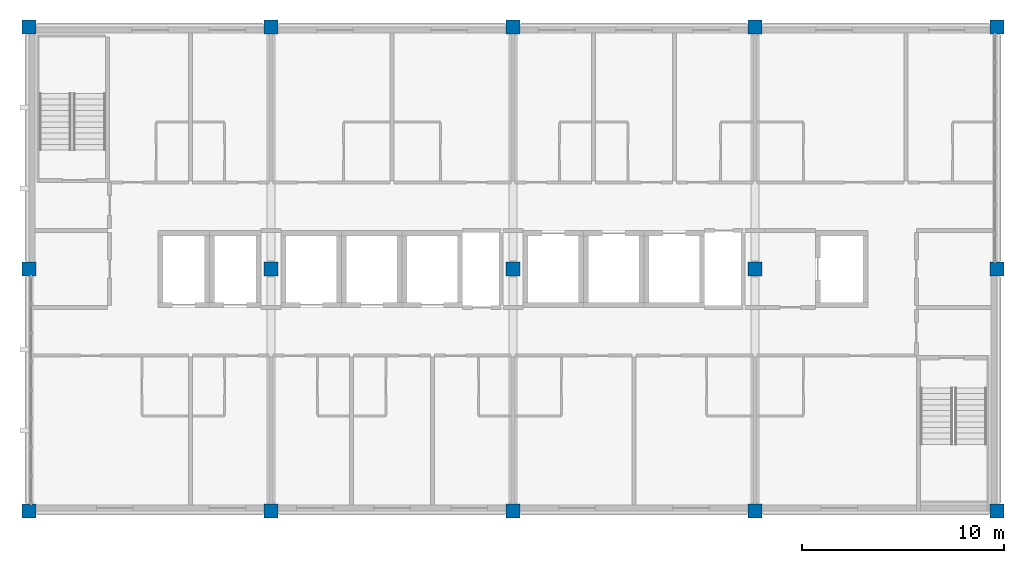
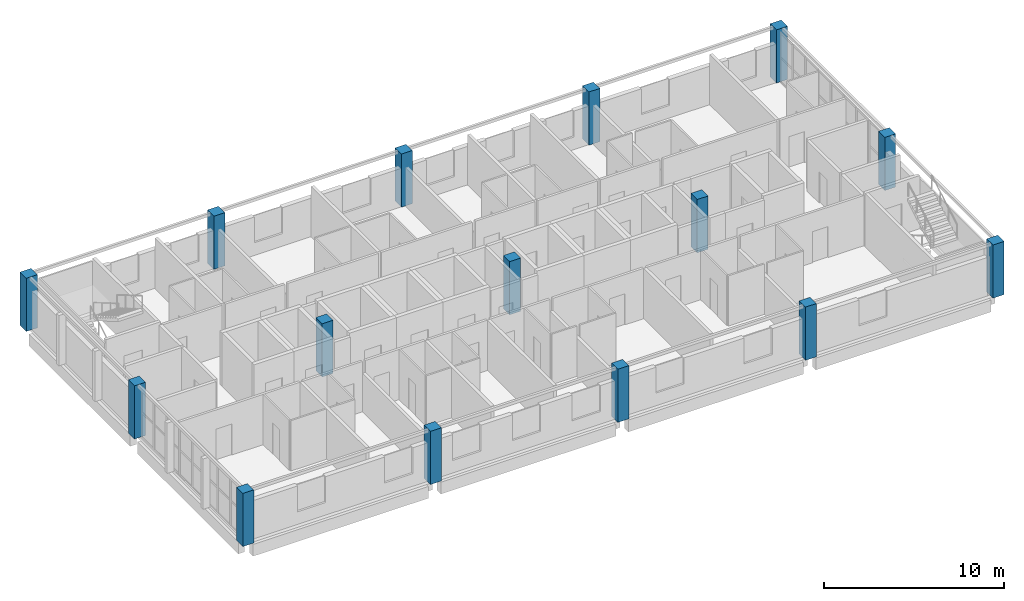
# One storey, part 1 of 11: 15 columns.
"""IFC4 building model written with IfcOpenShell, lengths in metres."""

from ifc_helpers import new_model, si_unit, direction, frame, origin, origin_2d, place, context, subcontext, project, spatial, rectangle, extrude, material, material_profile, profile_set, type_object, element, save


model = new_model("IFC4")

# Units and contexts
model_context = context("Model", 3, precision=1e-05, world=origin(), true_north=direction((0.0, 1.0)))
body_context = subcontext(model_context, "Body", "Model", "MODEL_VIEW")
ifc_project = project(units=[si_unit("LENGTHUNIT", "METRE"), si_unit("AREAUNIT", "SQUARE_METRE"), si_unit("VOLUMEUNIT", "CUBIC_METRE"), si_unit("PLANEANGLEUNIT", "RADIAN"), si_unit("MASSUNIT", "GRAM", prefix="KILO")], contexts=[model_context])

# Site, building, storey
site_placement = place(None, origin())
site = spatial("IfcSite", under=ifc_project, at=site_placement, CompositionType="ELEMENT")
building_placement = place(site_placement, origin())
building = spatial("IfcBuilding", under=site, at=building_placement, Name="Lilac Gate Convention Centre", CompositionType="ELEMENT")
storey_placement = place(building_placement, frame((0.0, 0.0, 49.800048828125)))
storey = spatial("IfcBuildingStorey", under=building, at=storey_placement, Name="L12", CompositionType="ELEMENT", Elevation=49.800048828125)

# Columns
ifc_material = material(Name="Concrete C40", Category="concrete")
ifc_material_profile = material_profile(ifc_material, rectangle(XDim=0.699951171875, YDim=0.699951171875, at=origin_2d()), Name="RC 700x700")
ifc_profile_set = profile_set([ifc_material_profile], Name="Concrete C40")
column_type = type_object("IfcColumnType", Name="RC tower column 700x700 C40", PredefinedType="COLUMN", material=ifc_profile_set)
for number, where, z_axis, x_axis, name in (
    (1, (42.0, 222.0, 0.0), (0.0, 0.0, 1.0), (1.0, 0.0, 0.0), "C7 L12 at 4/S"),
    (2, (42.0, 234.0, 0.0), (0.0, 0.0, 1.0), (1.0, 0.0, 0.0), "C7 L12 at 4/T"),
    (3, (42.0, 246.0, 0.0), (0.0, 0.0, 1.0), (1.0, 0.0, 0.0), "C7 L12 at 4/U"),
    (4, (54.0, 222.0, 0.0), (0.0, 0.0, 1.0), (1.0, 0.0, 0.0), "C7 L12 at 5/S"),
    (5, (54.0, 234.0, 0.0), (0.0, 0.0, 1.0), (1.0, 0.0, 0.0), "C7 L12 at 5/T"),
    (6, (54.0, 246.0, 0.0), (0.0, 0.0, 1.0), (1.0, 0.0, 0.0), "C7 L12 at 5/U"),
    (7, (66.0, 222.0, 0.0), (0.0, 0.0, 1.0), (1.0, 0.0, 0.0), "C7 L12 at 6/S"),
    (8, (66.0, 234.0, 0.0), (0.0, 0.0, 1.0), (1.0, 0.0, 0.0), "C7 L12 at 6/T"),
    (9, (66.0, 246.0, 0.0), (0.0, 0.0, 1.0), (1.0, 0.0, 0.0), "C7 L12 at 6/U"),
    (10, (78.0, 222.0, 0.0), (0.0, 0.0, 1.0), (1.0, 0.0, 0.0), "C7 L12 at 7/S"),
    (11, (78.0, 234.0, 0.0), (0.0, 0.0, 1.0), (1.0, 0.0, 0.0), "C7 L12 at 7/T"),
    (12, (78.0, 246.0, 0.0), (0.0, 0.0, 1.0), (1.0, 0.0, 0.0), "C7 L12 at 7/U"),
    (13, (90.0, 222.0, 0.0), (0.0, 0.0, 1.0), (1.0, 0.0, 0.0), "C7 L12 at 8/S"),
    (14, (90.0, 234.0, 0.0), (0.0, 0.0, 1.0), (1.0, 0.0, 0.0), "C7 L12 at 8/T"),
    (15, (90.0, 246.0, 0.0), (0.0, 0.0, 1.0), (1.0, 0.0, 0.0), "C7 L12 at 8/U"),
):
    element("IfcColumn", number, at=place(storey_placement, frame(where, z_axis=z_axis, x_axis=x_axis)), inside=storey, type_object=column_type, Name=name, PredefinedType="COLUMN", context=body_context, shape_type="SweptSolid", body=[
        extrude(rectangle(XDim=0.699951171875, YDim=0.699951171875, at=origin_2d()), origin(), (0.0, 0.0, 1.0), 3.599853515625),
    ])

save(model, "model.ifc")
